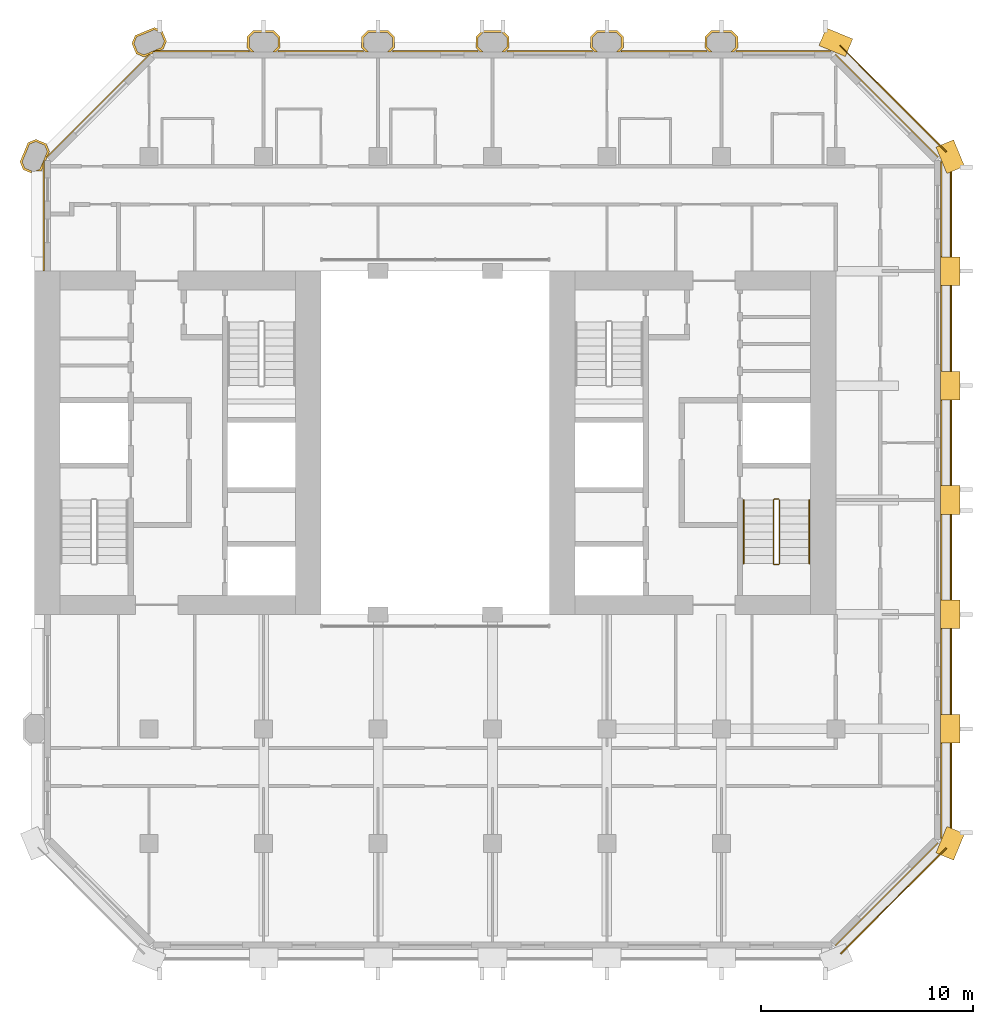
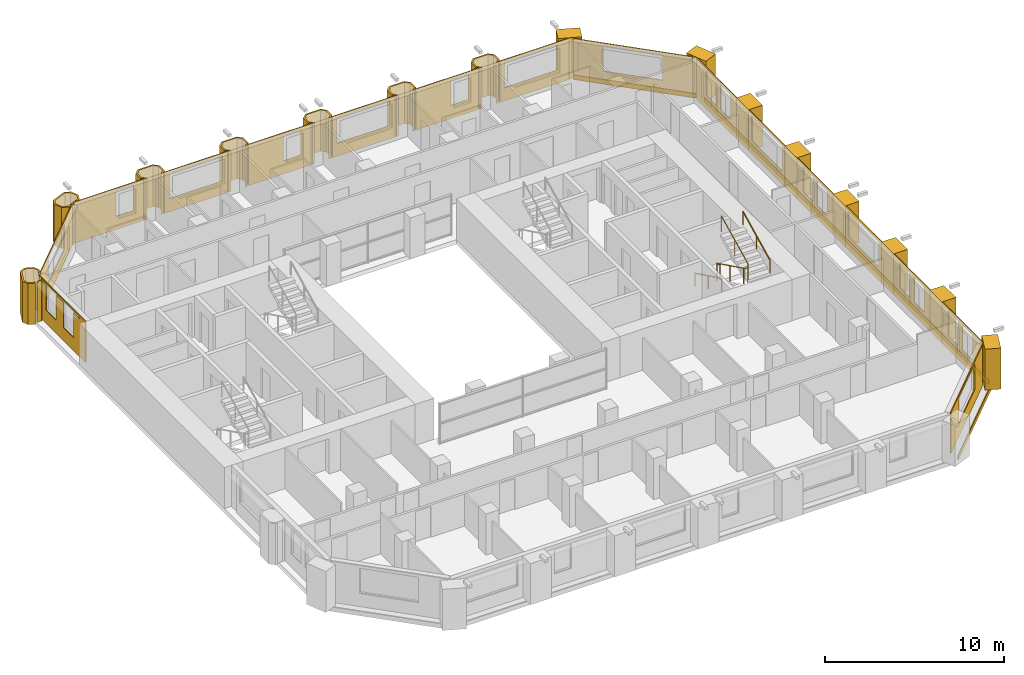
# One storey, part 12 of 12: 34 coverings, 3 railings.
"""IFC4 building model written with IfcOpenShell, lengths in metres."""

from ifc_helpers import new_model, si_unit, direction, frame, frame_2d, origin, origin_2d, place, context, subcontext, project, spatial, polyline, rectangle, circle, outline, extrude, material, layer, layer_set, type_object, element, save


model = new_model("IFC4")

# Units and contexts
model_context = context("Model", 3, precision=1e-05, world=origin(), true_north=direction((0.0, 1.0)))
body_context = subcontext(model_context, "Body", "Model", "MODEL_VIEW")
ifc_project = project(units=[si_unit("LENGTHUNIT", "METRE"), si_unit("AREAUNIT", "SQUARE_METRE"), si_unit("VOLUMEUNIT", "CUBIC_METRE"), si_unit("PLANEANGLEUNIT", "RADIAN"), si_unit("MASSUNIT", "GRAM", prefix="KILO")], contexts=[model_context])

# Site, building, storey
site_placement = place(None, origin())
site = spatial("IfcSite", under=ifc_project, at=site_placement, CompositionType="ELEMENT")
building_placement = place(site_placement, origin())
building = spatial("IfcBuilding", under=site, at=building_placement, Name="Tabaq Tower and Sports Hall", CompositionType="ELEMENT")
storey_placement = place(building_placement, frame((0.0, 0.0, 172.60009765625)))
storey = spatial("IfcBuildingStorey", under=building, at=storey_placement, Name="L41", CompositionType="ELEMENT", Elevation=172.60009765625)

# Coverings
ifc_material_1 = material(Name="Precast concrete C60/75", Category="concrete")
ifc_layer_1 = layer(ifc_material_1, 0.10009765625)
ifc_layer_set_1 = layer_set([ifc_layer_1], Name="Column cladding 100")
covering_type_1 = type_object("IfcCoveringType", Name="Column cladding 100", PredefinedType="CLADDING", material=ifc_layer_set_1)
covering_1_placement = place(storey_placement, origin())
element("IfcCovering", 1, at=covering_1_placement, inside=storey, type_object=covering_type_1, Name="Column cladding L41 PC-2H-H1", PredefinedType="CLADDING", context=body_context, shape_type="SweptSolid", body=[
    extrude(outline(polyline([(4.857421875, 37.186279296875), (4.7041015625, 37.556396484375), (5.080078125, 38.46435546875), (5.450439453125, 38.61767578125), (5.9423828125, 38.413818359375), (6.095947265625, 38.04345703125), (6.026123046875, 37.875), (5.9501953125, 37.799072265625), (5.9814453125, 37.767578125), (5.91796875, 37.614013671875), (5.849609375, 37.614013671875), (5.849609375, 37.55712890625), (5.789794921875, 37.55712890625), (5.789794921875, 37.304443359375), (5.7197265625, 37.1357421875), (5.694580078125, 37.125244140625), (5.434814453125, 37.125244140625), (5.643798828125, 37.2119140625), (5.98828125, 38.04345703125), (5.866455078125, 38.337646484375), (5.450439453125, 38.510009765625), (5.15625, 38.38818359375), (4.811767578125, 37.556396484375), (4.93359375, 37.26220703125), (5.26416015625, 37.125244140625), (5.249755859375, 37.125244140625), (5.249755859375, 37.023681640625), (4.857421875, 37.186279296875)])), origin(), (0.0, 0.0, 1.0), 2.7998046875),
])
covering_2_placement = place(storey_placement, origin())
element("IfcCovering", 2, at=covering_2_placement, inside=storey, type_object=covering_type_1, Name="Column cladding L41 PC-3I-H1", PredefinedType="CLADDING", context=body_context, shape_type="SweptSolid", body=[
    extrude(outline(polyline([(9.982421875, 43.149658203125), (10.1357421875, 43.519775390625), (11.04345703125, 43.895751953125), (11.413818359375, 43.742431640625), (11.61767578125, 43.25048828125), (11.46435546875, 42.880126953125), (11.295654296875, 42.810302734375), (11.04296875, 42.810302734375), (11.04296875, 42.750244140625), (10.986083984375, 42.750244140625), (10.986083984375, 42.68212890625), (10.83251953125, 42.618408203125), (10.801025390625, 42.64990234375), (10.72509765625, 42.573974609375), (10.556396484375, 42.504150390625), (10.186279296875, 42.657470703125), (9.982421875, 43.149658203125)]), holes=[polyline([(11.510009765625, 43.25048828125), (11.337646484375, 43.66650390625), (11.04345703125, 43.788330078125), (10.2119140625, 43.44384765625), (10.08984375, 43.149658203125), (10.26220703125, 42.733642578125), (10.556396484375, 42.61181640625), (11.38818359375, 42.956298828125), (11.510009765625, 43.25048828125)])]), origin(), (0.0, 0.0, 1.0), 2.7998046875),
])
covering_3_placement = place(storey_placement, origin())
element("IfcCovering", 3, at=covering_3_placement, inside=storey, type_object=covering_type_1, Name="Column cladding L41 PC-4I-H1", PredefinedType="CLADDING", context=body_context, shape_type="SweptSolid", body=[
    extrude(outline(polyline([(15.42529296875, 43.46630859375), (15.708740234375, 43.749755859375), (16.69140625, 43.749755859375), (16.974609375, 43.46630859375), (16.974609375, 42.93359375), (16.791259765625, 42.750244140625), (16.650634765625, 42.750244140625), (16.875244140625, 42.974853515625), (16.875244140625, 43.425048828125), (16.650146484375, 43.650390625), (15.749755859375, 43.650390625), (15.524658203125, 43.425048828125), (15.524658203125, 42.974853515625), (15.749267578125, 42.750244140625), (15.608642578125, 42.750244140625), (15.42529296875, 42.93359375), (15.42529296875, 43.46630859375)])), origin(), (0.0, 0.0, 1.0), 2.7998046875),
])
covering_4_placement = place(storey_placement, origin())
element("IfcCovering", 4, at=covering_4_placement, inside=storey, type_object=covering_type_1, Name="Column cladding L41 PC-5I-H1", PredefinedType="CLADDING", context=body_context, shape_type="SweptSolid", body=[
    extrude(outline(polyline([(20.8251953125, 43.46630859375), (21.108642578125, 43.749755859375), (22.09130859375, 43.749755859375), (22.374755859375, 43.46630859375), (22.374755859375, 42.93359375), (22.19140625, 42.750244140625), (22.05078125, 42.750244140625), (22.275390625, 42.974853515625), (22.275390625, 43.425048828125), (22.050048828125, 43.650390625), (21.14990234375, 43.650390625), (20.9248046875, 43.425048828125), (20.9248046875, 42.974853515625), (21.149169921875, 42.750244140625), (21.0087890625, 42.750244140625), (20.8251953125, 42.93359375), (20.8251953125, 43.46630859375)])), origin(), (0.0, 0.0, 1.0), 2.7998046875),
])
covering_5_placement = place(storey_placement, origin())
element("IfcCovering", 5, at=covering_5_placement, inside=storey, type_object=covering_type_1, Name="Column cladding L41 PC-6I-H1", PredefinedType="CLADDING", context=body_context, shape_type="SweptSolid", body=[
    extrude(outline(polyline([(26.225341796875, 43.46630859375), (26.5087890625, 43.749755859375), (27.4912109375, 43.749755859375), (27.774658203125, 43.46630859375), (27.774658203125, 42.93359375), (27.59130859375, 42.750244140625), (27.45068359375, 42.750244140625), (27.67529296875, 42.974853515625), (27.67529296875, 43.425048828125), (27.4501953125, 43.650390625), (26.5498046875, 43.650390625), (26.32470703125, 43.425048828125), (26.32470703125, 42.974853515625), (26.54931640625, 42.750244140625), (26.40869140625, 42.750244140625), (26.225341796875, 42.93359375), (26.225341796875, 43.46630859375)])), origin(), (0.0, 0.0, 1.0), 2.7998046875),
])
covering_6_placement = place(storey_placement, origin())
element("IfcCovering", 6, at=covering_6_placement, inside=storey, type_object=covering_type_1, Name="Column cladding L41 PC-7I-H1", PredefinedType="CLADDING", context=body_context, shape_type="SweptSolid", body=[
    extrude(outline(polyline([(31.625244140625, 43.46630859375), (31.90869140625, 43.749755859375), (32.891357421875, 43.749755859375), (33.1748046875, 43.46630859375), (33.1748046875, 42.93359375), (32.9912109375, 42.750244140625), (32.850830078125, 42.750244140625), (33.0751953125, 42.974853515625), (33.0751953125, 43.425048828125), (32.85009765625, 43.650390625), (31.949951171875, 43.650390625), (31.724609375, 43.425048828125), (31.724609375, 42.974853515625), (31.94921875, 42.750244140625), (31.80859375, 42.750244140625), (31.625244140625, 42.93359375), (31.625244140625, 43.46630859375)])), origin(), (0.0, 0.0, 1.0), 2.7998046875),
])
covering_7_placement = place(storey_placement, origin())
element("IfcCovering", 7, at=covering_7_placement, inside=storey, type_object=covering_type_1, Name="Column cladding L41 PC-8I-H1", PredefinedType="CLADDING", context=body_context, shape_type="SweptSolid", body=[
    extrude(outline(polyline([(37.025390625, 43.46630859375), (37.30859375, 43.749755859375), (38.291259765625, 43.749755859375), (38.57470703125, 43.46630859375), (38.57470703125, 42.93359375), (38.391357421875, 42.750244140625), (38.250732421875, 42.750244140625), (38.475341796875, 42.974853515625), (38.475341796875, 43.425048828125), (38.250244140625, 43.650390625), (37.349853515625, 43.650390625), (37.124755859375, 43.425048828125), (37.124755859375, 42.974853515625), (37.349365234375, 42.750244140625), (37.208740234375, 42.750244140625), (37.025390625, 42.93359375), (37.025390625, 43.46630859375)])), origin(), (0.0, 0.0, 1.0), 2.7998046875),
])
ifc_material_2 = material(Name="Precast concrete C60/75", Category="concrete")
ifc_layer_2 = layer(ifc_material_2, 0.06005859375)
ifc_layer_set_2 = layer_set([ifc_layer_2], Name="Edge beam cladding 60")
covering_type_2 = type_object("IfcCoveringType", Name="Edge beam cladding 60", PredefinedType="CLADDING", material=ifc_layer_set_2)
covering_8_placement = place(storey_placement, frame((43.432373046875, 0.18994140625, -0.300048828125), z_axis=(0.0, 0.0, 1.0), x_axis=(0.707106781187, 0.707106781187, 0.0)))
element("IfcCovering", 8, at=covering_8_placement, inside=storey, type_object=covering_type_2, Name="Edge beam cladding L41 2", PredefinedType="CLADDING", context=body_context, shape_type="SweptSolid", body=[
    extrude(rectangle(XDim=7.03955078125, YDim=0.06005859375, at=frame_2d((3.519775390625, 0.0))), origin(), (0.0, 0.0, 1.0), 0.300048828125),
])
covering_9_placement = place(storey_placement, frame((48.6298828125, 5.698486328125, -0.300048828125), z_axis=(0.0, 0.0, 1.0), x_axis=(0.0, 1.0, 0.0)))
element("IfcCovering", 9, at=covering_9_placement, inside=storey, type_object=covering_type_2, Name="Edge beam cladding L41 3", PredefinedType="CLADDING", context=body_context, shape_type="SweptSolid", body=[
    extrude(rectangle(XDim=31.802978515625, YDim=0.06005859375, at=frame_2d((15.9013671875, 0.0))), origin(), (0.0, 0.0, 1.0), 0.300048828125),
])
covering_10_placement = place(storey_placement, frame((48.41015625, 38.0322265625, -0.300048828125), z_axis=(0.0, 0.0, 1.0), x_axis=(-0.707106781187, 0.707106781187, 0.0)))
element("IfcCovering", 10, at=covering_10_placement, inside=storey, type_object=covering_type_2, Name="Edge beam cladding L41 4", PredefinedType="CLADDING", context=body_context, shape_type="SweptSolid", body=[
    extrude(rectangle(XDim=7.08837890625, YDim=0.06005859375, at=frame_2d((3.544189453125, 0.0))), origin(), (0.0, 0.0, 1.0), 0.300048828125),
])
ifc_material_3 = material(Name="White precast concrete C60/75", Category="concrete")
covering_type_3 = type_object("IfcCoveringType", Name="Pier cladding hung 1350x900", PredefinedType="CLADDING", material=ifc_material_3)
for number, where, z_axis, x_axis, name in (
    (11, (43.82373046875, 42.941650390625, 0.0), (0.0, 0.0, 1.0), (-0.923893411637, 0.382649923473, 0.0), "Hung pier cladding 8/8"),
    (12, (48.341796875, 4.7763671875, 0.0), (0.0, 0.0, 1.0), (0.382649923473, 0.923893411637, 0.0), "Hung pier cladding 9/1"),
    (13, (48.60009765625, 10.125, 0.0), (0.0, 0.0, 1.0), (0.0, 1.0, 0.0), "Hung pier cladding 9/2"),
    (14, (48.60009765625, 15.52490234375, 0.0), (0.0, 0.0, 1.0), (0.0, 1.0, 0.0), "Hung pier cladding 9/3"),
):
    element("IfcCovering", number, at=place(storey_placement, frame(where, z_axis=z_axis, x_axis=x_axis)), inside=storey, type_object=covering_type_3, Name=name, PredefinedType="CLADDING", context=body_context, shape_type="SweptSolid", body=[
        extrude(rectangle(XDim=1.35009765625, YDim=0.89990234375, at=frame_2d((0.675048828125, 0.0))), origin(), (0.0, 0.0, 1.0), 2.7998046875),
    ])
covering_11_placement = place(storey_placement, frame((48.60009765625, 20.925048828125, 0.0), z_axis=(0.0, 0.0, 1.0), x_axis=(0.0, 1.0, 0.0)))
element("IfcCovering", 15, at=covering_11_placement, inside=storey, type_object=covering_type_3, Name="Hung pier cladding 9/4", PredefinedType="CLADDING", context=body_context, shape_type="SweptSolid", body=[
    extrude(rectangle(XDim=1.349853515625, YDim=0.89990234375, at=frame_2d((0.6748046875, 0.0))), origin(), (0.0, 0.0, 1.0), 2.7998046875),
])
covering_12_placement = place(storey_placement, frame((48.60009765625, 26.324951171875, 0.0), z_axis=(0.0, 0.0, 1.0), x_axis=(0.0, 1.0, 0.0)))
element("IfcCovering", 16, at=covering_12_placement, inside=storey, type_object=covering_type_3, Name="Hung pier cladding 9/5", PredefinedType="CLADDING", context=body_context, shape_type="SweptSolid", body=[
    extrude(rectangle(XDim=1.35009765625, YDim=0.89990234375, at=frame_2d((0.675048828125, 0.0))), origin(), (0.0, 0.0, 1.0), 2.7998046875),
])
covering_13_placement = place(storey_placement, frame((48.60009765625, 31.72509765625, 0.0), z_axis=(0.0, 0.0, 1.0), x_axis=(0.0, 1.0, 0.0)))
element("IfcCovering", 17, at=covering_13_placement, inside=storey, type_object=covering_type_3, Name="Hung pier cladding 9/6", PredefinedType="CLADDING", context=body_context, shape_type="SweptSolid", body=[
    extrude(rectangle(XDim=1.349853515625, YDim=0.89990234375, at=frame_2d((0.6748046875, 0.0))), origin(), (0.0, 0.0, 1.0), 2.7998046875),
])
covering_14_placement = place(storey_placement, frame((48.8583984375, 37.17626953125, 0.0), z_axis=(0.0, 0.0, 1.0), x_axis=(-0.382649923473, 0.923893411637, 0.0)))
element("IfcCovering", 18, at=covering_14_placement, inside=storey, type_object=covering_type_3, Name="Hung pier cladding 9/7", PredefinedType="CLADDING", context=body_context, shape_type="SweptSolid", body=[
    extrude(rectangle(XDim=1.35009765625, YDim=0.89990234375, at=frame_2d((0.675048828125, 0.0))), origin(), (0.0, 0.0, 1.0), 2.7998046875),
])

# Railings
ifc_material_4 = material(Name="Stainless steel", Category="steel")
railing_type_1 = type_object("IfcRailingType", Name="Stair guard", PredefinedType="GUARDRAIL", material=ifc_material_4)
railing_1_placement = place(storey_placement, frame((40.5, 21.64990234375, 0.0)))
element("IfcRailing", 19, at=railing_1_placement, inside=storey, type_object=railing_type_1, Name="L41 ST3 stair guard 1", PredefinedType="GUARDRAIL", context=body_context, shape_type="SweptSolid", body=[
    extrude(circle(Radius=0.02392578125, at=origin_2d()), frame((0.0, 0.0, 1.076171875), z_axis=(-1.0, 0.0, 0.0), x_axis=(0.0, -1.0, 0.0)), (0.0, 0.0, 1.0), 0.199951171875),
    extrude(circle(Radius=0.02392578125, at=origin_2d()), frame((-0.199951171875, 0.0, 1.076171875), z_axis=(-0.254733673405, -0.25349107012, 0.933195066962), x_axis=(0.705375805398, -0.708833529934, 0.0)), (0.0, 0.0, 1.0), 0.196533203125),
    extrude(circle(Radius=0.02392578125, at=origin_2d()), frame((-0.25, -0.0498046875, 1.25927734375), z_axis=(0.0, -0.898397823093, 0.439182594671), x_axis=(1.0, 0.0, 0.0)), (0.0, 0.0, 1.0), 3.33935546875),
    extrude(circle(Radius=0.02392578125, at=origin_2d()), frame((-0.25, -3.0498046875, 2.72607421875), z_axis=(0.707106781187, -0.707106781187, 0.0), x_axis=(0.707106781187, 0.707106781187, 0.0)), (0.0, 0.0, 1.0), 0.07080078125),
    extrude(circle(Radius=0.02392578125, at=origin_2d()), frame((-0.199951171875, -3.099853515625, 2.72607421875), z_axis=(1.0, 0.0, 0.0), x_axis=(0.0, 1.0, 0.0)), (0.0, 0.0, 1.0), 0.199951171875),
    extrude(circle(Radius=0.02392578125, at=origin_2d()), frame((0.0, -3.099853515625, 2.72607421875), z_axis=(0.254653276557, 0.254653276557, 0.932900539971), x_axis=(-0.707106781187, 0.707106781187, 0.0)), (0.0, 0.0, 1.0), 0.196533203125),
    extrude(circle(Radius=0.02392578125, at=origin_2d()), frame((0.050048828125, -3.0498046875, 2.9091796875), z_axis=(0.0, 0.898397823093, 0.439182594671), x_axis=(-1.0, 0.0, 0.0)), (0.0, 0.0, 1.0), 3.33935546875),
    extrude(circle(Radius=0.02099609375, at=origin_2d()), origin(), (0.0, 0.0, 1.0), 1.052001953125),
    extrude(circle(Radius=0.02099609375, at=origin_2d()), frame((-0.199951171875, 0.0, 0.0)), (0.0, 0.0, 1.0), 1.052001953125),
    extrude(circle(Radius=0.02099609375, at=origin_2d()), frame((-0.25, -0.0498046875, 0.183349609375)), (0.0, 0.0, 1.0), 1.052001953125),
    extrude(circle(Radius=0.02099609375, at=origin_2d()), frame((-0.25, -1.5498046875, 0.91650390625)), (0.0, 0.0, 1.0), 1.052001953125),
    extrude(circle(Radius=0.02099609375, at=origin_2d()), frame((-0.25, -3.0498046875, 1.64990234375)), (0.0, 0.0, 1.0), 1.052001953125),
    extrude(circle(Radius=0.02099609375, at=origin_2d()), frame((-0.199951171875, -3.099853515625, 1.64990234375)), (0.0, 0.0, 1.0), 1.052001953125),
    extrude(circle(Radius=0.02099609375, at=origin_2d()), frame((0.0, -3.099853515625, 1.64990234375)), (0.0, 0.0, 1.0), 1.052001953125),
    extrude(circle(Radius=0.02099609375, at=origin_2d()), frame((0.050048828125, -3.0498046875, 1.833251953125)), (0.0, 0.0, 1.0), 1.052001953125),
    extrude(circle(Radius=0.02099609375, at=origin_2d()), frame((0.050048828125, -1.5498046875, 2.56640625)), (0.0, 0.0, 1.0), 1.052001953125),
    extrude(circle(Radius=0.02099609375, at=origin_2d()), frame((0.050048828125, -0.0498046875, 3.2998046875)), (0.0, 0.0, 1.0), 1.052001953125),
])
ifc_material_5 = material(Name="Stainless steel", Category="steel")
railing_type_2 = type_object("IfcRailingType", Name="Stair handrail", PredefinedType="HANDRAIL", material=ifc_material_5)
railing_2_placement = place(storey_placement, frame((38.85009765625, 21.60009765625, 0.183349609375)))
element("IfcRailing", 20, at=railing_2_placement, inside=storey, type_object=railing_type_2, Name="L41 ST3 stair handrail 1", PredefinedType="HANDRAIL", context=body_context, shape_type="SweptSolid", body=[
    extrude(circle(Radius=0.02392578125, at=origin_2d()), frame((0.0, 0.0, 0.8759765625), z_axis=(0.0, -0.898397823093, 0.439182594671), x_axis=(1.0, 0.0, 0.0)), (0.0, 0.0, 1.0), 3.33935546875),
    extrude(circle(Radius=0.02099609375, at=origin_2d()), origin(), (0.0, 0.0, 1.0), 0.851806640625),
    extrude(circle(Radius=0.02099609375, at=origin_2d()), frame((0.0, -1.5, 0.7333984375)), (0.0, 0.0, 1.0), 0.851806640625),
    extrude(circle(Radius=0.02099609375, at=origin_2d()), frame((0.0, -3.0, 1.466552734375)), (0.0, 0.0, 1.0), 0.851806640625),
])
railing_3_placement = place(storey_placement, frame((41.949951171875, 18.60009765625, 1.833251953125)))
element("IfcRailing", 21, at=railing_3_placement, inside=storey, type_object=railing_type_2, Name="L41 ST3 stair handrail 2", PredefinedType="HANDRAIL", context=body_context, shape_type="SweptSolid", body=[
    extrude(circle(Radius=0.02392578125, at=origin_2d()), frame((0.0, 0.0, 0.8759765625), z_axis=(0.0, 0.898397823093, 0.439182594671), x_axis=(-1.0, 0.0, 0.0)), (0.0, 0.0, 1.0), 3.33935546875),
    extrude(circle(Radius=0.02099609375, at=origin_2d()), origin(), (0.0, 0.0, 1.0), 0.851806640625),
    extrude(circle(Radius=0.02099609375, at=origin_2d()), frame((0.0, 1.5, 0.7333984375)), (0.0, 0.0, 1.0), 0.851806640625),
    extrude(circle(Radius=0.02099609375, at=origin_2d()), frame((0.0, 3.0, 1.466552734375)), (0.0, 0.0, 1.0), 0.851806640625),
])

# Coverings
ifc_material_6 = material(Name="Precast concrete C60/75", Category="concrete")
ifc_layer_3 = layer(ifc_material_6, 0.06005859375)
ifc_layer_set_3 = layer_set([ifc_layer_3], Name="White precast cladding panel 60 C60/75")
covering_type_4 = type_object("IfcCoveringType", Name="White precast cladding panel 60 C60/75", PredefinedType="CLADDING", material=ifc_layer_set_3)
covering_15_placement = place(storey_placement, frame((43.177734375, 0.57177734375, 0.0), z_axis=(0.0, 0.0, 1.0), x_axis=(0.707106781187, 0.707106781187, 0.0)))
element("IfcCovering", 22, at=covering_15_placement, inside=storey, type_object=covering_type_4, Name="White precast cladding panel L41 wall01", PredefinedType="CLADDING", context=body_context, shape_type="SweptSolid", body=[
    extrude(outline(polyline([(0.0, 0.0), (6.85986328125, 0.0), (6.85986328125, 2.7998046875), (0.0, 2.7998046875), (0.0, 0.0)]), holes=[polyline([(1.7197265625, 0.889892578125), (1.7197265625, 2.60986328125), (5.139892578125, 2.60986328125), (5.139892578125, 0.889892578125), (1.7197265625, 0.889892578125)])]), frame((0.0, 0.030029296875, 0.0), z_axis=(0.0, -1.0, 0.0), x_axis=(1.0, 0.0, 0.0)), (0.0, 0.0, 1.0), 0.06005859375),
])
covering_16_placement = place(storey_placement, frame((48.179931640625, 5.64306640625, 0.0), z_axis=(0.0, 0.0, 1.0), x_axis=(0.0, 1.0, 0.0)))
element("IfcCovering", 23, at=covering_16_placement, inside=storey, type_object=covering_type_4, Name="White precast cladding panel L41 wall02", PredefinedType="CLADDING", context=body_context, shape_type="SweptSolid", body=[
    extrude(outline(polyline([(0.0, 0.0), (4.471923828125, 0.0), (4.471923828125, 2.7998046875), (0.0, 2.7998046875), (0.0, 0.0)]), holes=[polyline([(1.096923828125, 2.60986328125), (2.216796875, 2.60986328125), (2.216796875, 0.889892578125), (1.096923828125, 0.889892578125), (1.096923828125, 2.60986328125)]), polyline([(2.69677734375, 2.60986328125), (3.81689453125, 2.60986328125), (3.81689453125, 0.889892578125), (2.69677734375, 0.889892578125), (2.69677734375, 2.60986328125)])]), frame((0.0, 0.030029296875, 0.0), z_axis=(0.0, -1.0, 0.0), x_axis=(1.0, 0.0, 0.0)), (0.0, 0.0, 1.0), 0.06005859375),
])
covering_17_placement = place(storey_placement, frame((48.179931640625, 11.485107421875, 0.0), z_axis=(0.0, 0.0, 1.0), x_axis=(0.0, 1.0, 0.0)))
element("IfcCovering", 24, at=covering_17_placement, inside=storey, type_object=covering_type_4, Name="White precast cladding panel L41 wall02 2", PredefinedType="CLADDING", context=body_context, shape_type="SweptSolid", body=[
    extrude(outline(polyline([(0.0, 0.0), (4.02978515625, 0.0), (4.02978515625, 2.7998046875), (0.0, 2.7998046875), (0.0, 0.0)]), holes=[polyline([(0.655029296875, 2.60986328125), (1.77490234375, 2.60986328125), (1.77490234375, 0.889892578125), (0.655029296875, 0.889892578125), (0.655029296875, 2.60986328125)]), polyline([(2.2548828125, 2.60986328125), (3.375, 2.60986328125), (3.375, 0.889892578125), (2.2548828125, 0.889892578125), (2.2548828125, 2.60986328125)])]), frame((0.0, 0.030029296875, 0.0), z_axis=(0.0, -1.0, 0.0), x_axis=(1.0, 0.0, 0.0)), (0.0, 0.0, 1.0), 0.06005859375),
])
covering_18_placement = place(storey_placement, frame((48.179931640625, 16.885009765625, 0.0), z_axis=(0.0, 0.0, 1.0), x_axis=(0.0, 1.0, 0.0)))
element("IfcCovering", 25, at=covering_18_placement, inside=storey, type_object=covering_type_4, Name="White precast cladding panel L41 wall02 3", PredefinedType="CLADDING", context=body_context, shape_type="SweptSolid", body=[
    extrude(outline(polyline([(0.0, 0.0), (4.030029296875, 0.0), (4.030029296875, 2.7998046875), (0.0, 2.7998046875), (0.0, 0.0)]), holes=[polyline([(0.304931640625, 0.889892578125), (0.304931640625, 2.60986328125), (3.72509765625, 2.60986328125), (3.72509765625, 0.889892578125), (0.304931640625, 0.889892578125)])]), frame((0.0, 0.030029296875, 0.0), z_axis=(0.0, -1.0, 0.0), x_axis=(1.0, 0.0, 0.0)), (0.0, 0.0, 1.0), 0.06005859375),
])
covering_19_placement = place(storey_placement, frame((48.179931640625, 22.284912109375, 0.0), z_axis=(0.0, 0.0, 1.0), x_axis=(0.0, 1.0, 0.0)))
element("IfcCovering", 26, at=covering_19_placement, inside=storey, type_object=covering_type_4, Name="White precast cladding panel L41 wall02 4", PredefinedType="CLADDING", context=body_context, shape_type="SweptSolid", body=[
    extrude(outline(polyline([(0.0, 0.0), (4.030029296875, 0.0), (4.030029296875, 2.7998046875), (0.0, 2.7998046875), (0.0, 0.0)]), holes=[polyline([(0.655029296875, 2.60986328125), (1.77490234375, 2.60986328125), (1.77490234375, 0.889892578125), (0.655029296875, 0.889892578125), (0.655029296875, 2.60986328125)]), polyline([(2.2548828125, 2.60986328125), (3.375, 2.60986328125), (3.375, 0.889892578125), (2.2548828125, 0.889892578125), (2.2548828125, 2.60986328125)])]), frame((0.0, 0.030029296875, 0.0), z_axis=(0.0, -1.0, 0.0), x_axis=(1.0, 0.0, 0.0)), (0.0, 0.0, 1.0), 0.06005859375),
])
covering_20_placement = place(storey_placement, frame((48.179931640625, 27.68505859375, 0.0), z_axis=(0.0, 0.0, 1.0), x_axis=(0.0, 1.0, 0.0)))
element("IfcCovering", 27, at=covering_20_placement, inside=storey, type_object=covering_type_4, Name="White precast cladding panel L41 wall02 5", PredefinedType="CLADDING", context=body_context, shape_type="SweptSolid", body=[
    extrude(outline(polyline([(0.0, 0.0), (4.030029296875, 0.0), (4.030029296875, 2.7998046875), (0.0, 2.7998046875), (0.0, 0.0)]), holes=[polyline([(0.304931640625, 0.889892578125), (0.304931640625, 2.60986328125), (3.72509765625, 2.60986328125), (3.72509765625, 0.889892578125), (0.304931640625, 0.889892578125)])]), frame((0.0, 0.030029296875, 0.0), z_axis=(0.0, -1.0, 0.0), x_axis=(1.0, 0.0, 0.0)), (0.0, 0.0, 1.0), 0.06005859375),
])
covering_21_placement = place(storey_placement, frame((48.179931640625, 33.0849609375, 0.0), z_axis=(0.0, 0.0, 1.0), x_axis=(0.0, 1.0, 0.0)))
element("IfcCovering", 28, at=covering_21_placement, inside=storey, type_object=covering_type_4, Name="White precast cladding panel L41 wall02 6", PredefinedType="CLADDING", context=body_context, shape_type="SweptSolid", body=[
    extrude(outline(polyline([(0.0, 0.0), (4.471923828125, 0.0), (4.471923828125, 2.7998046875), (0.0, 2.7998046875), (0.0, 0.0)]), holes=[polyline([(0.655029296875, 2.60986328125), (1.77490234375, 2.60986328125), (1.77490234375, 0.889892578125), (0.655029296875, 0.889892578125), (0.655029296875, 2.60986328125)]), polyline([(2.2548828125, 2.60986328125), (3.375, 2.60986328125), (3.375, 0.889892578125), (2.2548828125, 0.889892578125), (2.2548828125, 2.60986328125)])]), frame((0.0, 0.030029296875, 0.0), z_axis=(0.0, -1.0, 0.0), x_axis=(1.0, 0.0, 0.0)), (0.0, 0.0, 1.0), 0.06005859375),
])
covering_22_placement = place(storey_placement, frame((48.0283203125, 37.77783203125, 0.0), z_axis=(0.0, 0.0, 1.0), x_axis=(-0.707124576528, 0.707088985397, 0.0)))
element("IfcCovering", 29, at=covering_22_placement, inside=storey, type_object=covering_type_4, Name="White precast cladding panel L41 wall03", PredefinedType="CLADDING", context=body_context, shape_type="SweptSolid", body=[
    extrude(outline(polyline([(0.0, 0.0), (6.859619140625, 0.0), (6.859619140625, 2.7998046875), (0.0, 2.7998046875), (0.0, 0.0)]), holes=[polyline([(1.7197265625, 0.889892578125), (1.7197265625, 2.60986328125), (5.139892578125, 2.60986328125), (5.139892578125, 0.889892578125), (1.7197265625, 0.889892578125)])]), frame((0.0, 0.030029296875, 0.0), z_axis=(0.0, -1.0, 0.0), x_axis=(1.0, 0.0, 0.0)), (0.0, 0.0, 1.0), 0.06005859375),
])
covering_23_placement = place(storey_placement, frame((42.956787109375, 42.780029296875, 0.0), z_axis=(0.0, 0.0, 1.0), x_axis=(-1.0, 0.0, 0.0)))
element("IfcCovering", 30, at=covering_23_placement, inside=storey, type_object=covering_type_4, Name="White precast cladding panel L41 wall04", PredefinedType="CLADDING", context=body_context, shape_type="SweptSolid", body=[
    extrude(outline(polyline([(0.0, 0.0), (4.4716796875, 0.0), (4.4716796875, 2.7998046875), (0.0, 2.7998046875), (0.0, 0.0)]), holes=[polyline([(0.746826171875, 0.889892578125), (0.746826171875, 2.60986328125), (4.166748046875, 2.60986328125), (4.166748046875, 0.889892578125), (0.746826171875, 0.889892578125)])]), frame((0.0, 0.030029296875, 0.0), z_axis=(0.0, -1.0, 0.0), x_axis=(1.0, 0.0, 0.0)), (0.0, 0.0, 1.0), 0.06005859375),
])
covering_24_placement = place(storey_placement, frame((37.114990234375, 42.780029296875, 0.0), z_axis=(0.0, 0.0, 1.0), x_axis=(-1.0, 0.0, 0.0)))
element("IfcCovering", 31, at=covering_24_placement, inside=storey, type_object=covering_type_4, Name="White precast cladding panel L41 wall04 2", PredefinedType="CLADDING", context=body_context, shape_type="SweptSolid", body=[
    extrude(outline(polyline([(0.0, 0.0), (4.030029296875, 0.0), (4.030029296875, 2.7998046875), (0.0, 2.7998046875), (0.0, 0.0)]), holes=[polyline([(0.655029296875, 0.889892578125), (0.655029296875, 2.60986328125), (1.77490234375, 2.60986328125), (1.77490234375, 0.889892578125), (0.655029296875, 0.889892578125)])]), frame((0.0, 0.030029296875, 0.0), z_axis=(0.0, -1.0, 0.0), x_axis=(1.0, 0.0, 0.0)), (0.0, 0.0, 1.0), 0.06005859375),
])
covering_25_placement = place(storey_placement, frame((31.715087890625, 42.780029296875, 0.0), z_axis=(0.0, 0.0, 1.0), x_axis=(-1.0, 0.0, 0.0)))
element("IfcCovering", 32, at=covering_25_placement, inside=storey, type_object=covering_type_4, Name="White precast cladding panel L41 wall04 3", PredefinedType="CLADDING", context=body_context, shape_type="SweptSolid", body=[
    extrude(outline(polyline([(0.0, 0.0), (4.030029296875, 0.0), (4.030029296875, 2.7998046875), (0.0, 2.7998046875), (0.0, 0.0)]), holes=[polyline([(0.304931640625, 0.889892578125), (0.304931640625, 2.60986328125), (3.72509765625, 2.60986328125), (3.72509765625, 0.889892578125), (0.304931640625, 0.889892578125)])]), frame((0.0, 0.030029296875, 0.0), z_axis=(0.0, -1.0, 0.0), x_axis=(1.0, 0.0, 0.0)), (0.0, 0.0, 1.0), 0.06005859375),
])
covering_26_placement = place(storey_placement, frame((26.31494140625, 42.780029296875, 0.0), z_axis=(0.0, 0.0, 1.0), x_axis=(-1.0, 0.0, 0.0)))
element("IfcCovering", 33, at=covering_26_placement, inside=storey, type_object=covering_type_4, Name="White precast cladding panel L41 wall04 4", PredefinedType="CLADDING", context=body_context, shape_type="SweptSolid", body=[
    extrude(outline(polyline([(0.0, 0.0), (4.030029296875, 0.0), (4.030029296875, 2.7998046875), (0.0, 2.7998046875), (0.0, 0.0)]), holes=[polyline([(0.655029296875, 0.889892578125), (0.655029296875, 2.60986328125), (1.77490234375, 2.60986328125), (1.77490234375, 0.889892578125), (0.655029296875, 0.889892578125)])]), frame((0.0, 0.030029296875, 0.0), z_axis=(0.0, -1.0, 0.0), x_axis=(1.0, 0.0, 0.0)), (0.0, 0.0, 1.0), 0.06005859375),
])
covering_27_placement = place(storey_placement, frame((20.9150390625, 42.780029296875, 0.0), z_axis=(0.0, 0.0, 1.0), x_axis=(-1.0, 0.0, 0.0)))
element("IfcCovering", 34, at=covering_27_placement, inside=storey, type_object=covering_type_4, Name="White precast cladding panel L41 wall04 5", PredefinedType="CLADDING", context=body_context, shape_type="SweptSolid", body=[
    extrude(outline(polyline([(0.0, 0.0), (4.030029296875, 0.0), (4.030029296875, 2.7998046875), (0.0, 2.7998046875), (0.0, 0.0)]), holes=[polyline([(0.304931640625, 0.889892578125), (0.304931640625, 2.60986328125), (3.72509765625, 2.60986328125), (3.72509765625, 0.889892578125), (0.304931640625, 0.889892578125)])]), frame((0.0, 0.030029296875, 0.0), z_axis=(0.0, -1.0, 0.0), x_axis=(1.0, 0.0, 0.0)), (0.0, 0.0, 1.0), 0.06005859375),
])
covering_28_placement = place(storey_placement, frame((15.514892578125, 42.780029296875, 0.0), z_axis=(0.0, 0.0, 1.0), x_axis=(-1.0, 0.0, 0.0)))
element("IfcCovering", 35, at=covering_28_placement, inside=storey, type_object=covering_type_4, Name="White precast cladding panel L41 wall04 6", PredefinedType="CLADDING", context=body_context, shape_type="SweptSolid", body=[
    extrude(outline(polyline([(0.0, 0.0), (4.4716796875, 0.0), (4.4716796875, 2.7998046875), (0.0, 2.7998046875), (0.0, 0.0)]), holes=[polyline([(0.655029296875, 0.889892578125), (0.655029296875, 2.60986328125), (1.77490234375, 2.60986328125), (1.77490234375, 0.889892578125), (0.655029296875, 0.889892578125)])]), frame((0.0, 0.030029296875, 0.0), z_axis=(0.0, -1.0, 0.0), x_axis=(1.0, 0.0, 0.0)), (0.0, 0.0, 1.0), 0.06005859375),
])
covering_29_placement = place(storey_placement, frame((10.822265625, 42.628173828125, 0.0), z_axis=(0.0, 0.0, 1.0), x_axis=(-0.707124576528, -0.707088985397, 0.0)))
element("IfcCovering", 36, at=covering_29_placement, inside=storey, type_object=covering_type_4, Name="White precast cladding panel L41 wall05", PredefinedType="CLADDING", context=body_context, shape_type="SweptSolid", body=[
    extrude(outline(polyline([(0.0, 0.0), (6.859619140625, 0.0), (6.859619140625, 2.7998046875), (0.0, 2.7998046875), (0.0, 0.0)]), holes=[polyline([(1.7197265625, 0.889892578125), (1.7197265625, 2.60986328125), (5.139892578125, 2.60986328125), (5.139892578125, 0.889892578125), (1.7197265625, 0.889892578125)])]), frame((0.0, 0.030029296875, 0.0), z_axis=(0.0, -1.0, 0.0), x_axis=(1.0, 0.0, 0.0)), (0.0, 0.0, 1.0), 0.06005859375),
])
covering_30_placement = place(storey_placement, frame((5.820068359375, 37.556884765625, 0.0), z_axis=(0.0, 0.0, 1.0), x_axis=(0.0, -1.0, 0.0)))
element("IfcCovering", 37, at=covering_30_placement, inside=storey, type_object=covering_type_4, Name="White precast cladding panel L41 wall06", PredefinedType="CLADDING", context=body_context, shape_type="SweptSolid", body=[
    extrude(outline(polyline([(0.0, 0.0), (5.156982421875, 0.0), (5.156982421875, 2.7998046875), (0.0, 2.7998046875), (0.0, 0.0)]), holes=[polyline([(0.746826171875, 2.58984375), (0.421875, 2.58984375), (0.421875, 2.7099609375), (4.491943359375, 2.7099609375), (4.491943359375, 2.58984375), (3.81689453125, 2.58984375), (3.81689453125, 0.889892578125), (2.69677734375, 0.889892578125), (2.69677734375, 2.58984375), (1.866943359375, 2.58984375), (1.866943359375, 0.889892578125), (0.746826171875, 0.889892578125), (0.746826171875, 2.58984375)])]), frame((0.0, 0.030029296875, 0.0), z_axis=(0.0, -1.0, 0.0), x_axis=(1.0, 0.0, 0.0)), (0.0, 0.0, 1.0), 0.06005859375),
])

save(model, "model.ifc")
